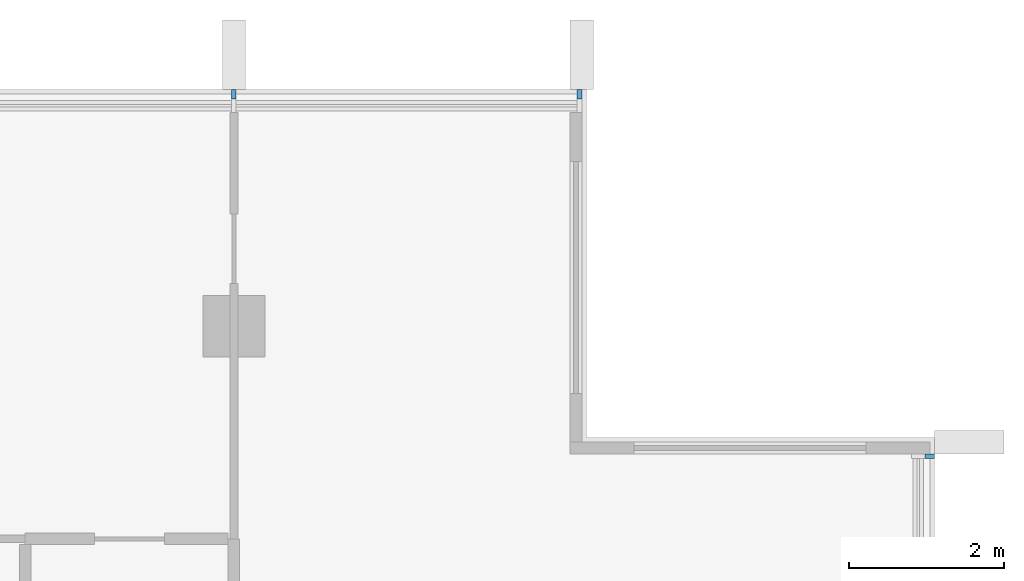
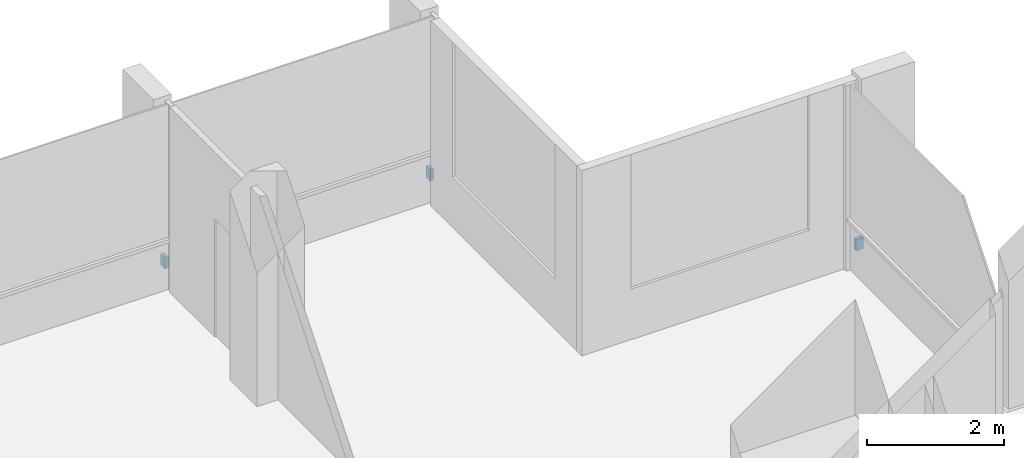
# One storey, part 15 of 16: 3 discrete accessories.
"""IFC4 building model written with IfcOpenShell, lengths in metres."""

from ifc_helpers import new_model, si_unit, direction, frame, origin, origin_2d, place, context, subcontext, project, spatial, rectangle, extrude, material, type_object, element, save


model = new_model("IFC4")

# Units and contexts
model_context = context("Model", 3, precision=1e-05, world=origin(), true_north=direction((0.0, 1.0)))
body_context = subcontext(model_context, "Body", "Model", "MODEL_VIEW")
ifc_project = project(units=[si_unit("LENGTHUNIT", "METRE"), si_unit("AREAUNIT", "SQUARE_METRE"), si_unit("VOLUMEUNIT", "CUBIC_METRE"), si_unit("PLANEANGLEUNIT", "RADIAN"), si_unit("MASSUNIT", "GRAM", prefix="KILO")], contexts=[model_context])

# Site, building, storey
site_placement = place(None, origin())
site = spatial("IfcSite", under=ifc_project, at=site_placement, CompositionType="ELEMENT")
building_placement = place(site_placement, origin())
building = spatial("IfcBuilding", under=site, at=building_placement, Name="Finial Court Residences", CompositionType="ELEMENT")
storey_placement = place(building_placement, frame((0.0, 0.0, 208.699951171875)))
storey = spatial("IfcBuildingStorey", under=building, at=storey_placement, Name="L52", CompositionType="ELEMENT", Elevation=208.699951171875)

# Discrete accessories
ifc_material = material(Name="Stainless steel 316", Category="steel")
discrete_accessory_type = type_object("IfcDiscreteAccessoryType", Name="Fin bracket, stainless steel 60 x 122 x 200", PredefinedType="BRACKET", material=ifc_material)
for number, where, z_axis, x_axis, name in (
    (1, (10.5, 16.498779296875, 0.30029296875), (0.0, 0.0, 1.0), (1.0, 0.0, 0.0), "E-L52-FIN-N5-BRK"),
    (2, (14.969970703125, 16.498779296875, 0.30029296875), (0.0, 0.0, 1.0), (1.0, 0.0, 0.0), "E-L52-FIN-N6-BRK"),
):
    element("IfcDiscreteAccessory", number, at=place(storey_placement, frame(where, z_axis=z_axis, x_axis=x_axis)), inside=storey, type_object=discrete_accessory_type, Name=name, PredefinedType="BRACKET", context=body_context, shape_type="SweptSolid", body=[
        extrude(rectangle(XDim=0.06005859375, YDim=0.12255859375, at=origin_2d()), origin(), (0.0, 0.0, 1.0), 0.199951171875),
    ])
discrete_accessory_placement = place(storey_placement, frame((19.498779296875, 11.820068359375, 0.30029296875), z_axis=(0.0, 0.0, 1.0), x_axis=(1.0, 0.0, 0.0)))
element("IfcDiscreteAccessory", 3, at=discrete_accessory_placement, inside=storey, type_object=discrete_accessory_type, Name="E-L52-FIN-E12-BRK", PredefinedType="BRACKET", context=body_context, shape_type="SweptSolid", body=[
    extrude(rectangle(XDim=0.12255859375, YDim=0.06005859375, at=origin_2d()), origin(), (0.0, 0.0, 1.0), 0.199951171875),
])

save(model, "model.ifc")
